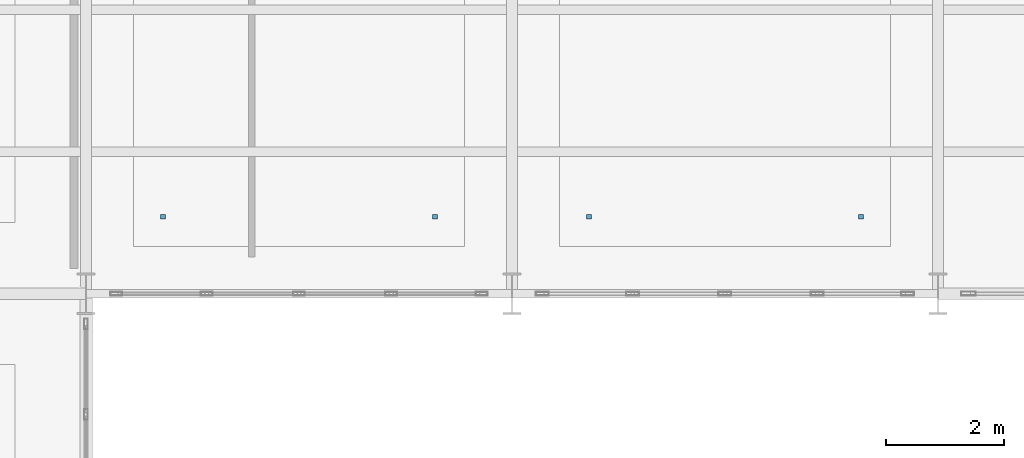
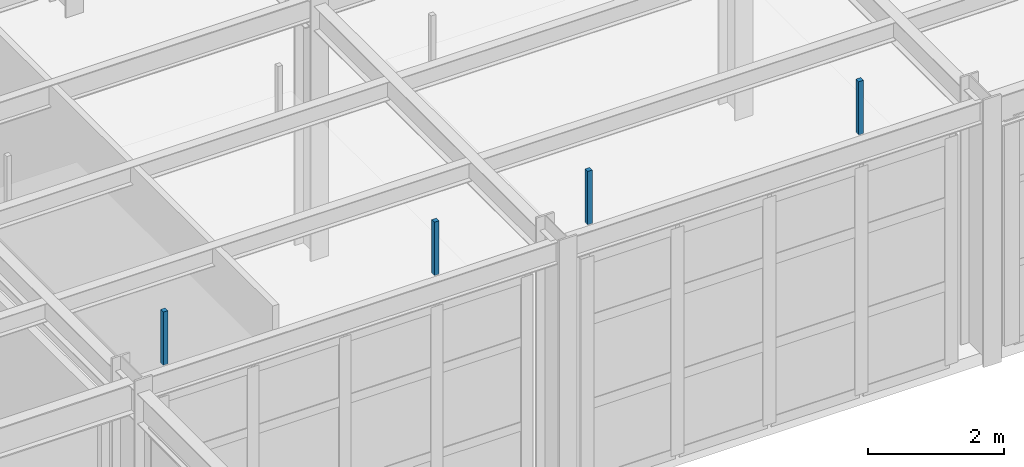
# One storey, part 102 of 121: 4 discrete accessories.
"""IFC4 building model written with IfcOpenShell, lengths in metres."""

from ifc_helpers import new_model, si_unit, direction, frame, origin, origin_2d, place, context, subcontext, project, spatial, rectangle, extrude, material, type_object, element, save


model = new_model("IFC4")

# Units and contexts
model_context = context("Model", 3, precision=1e-05, world=origin(), true_north=direction((0.0, 1.0)))
body_context = subcontext(model_context, "Body", "Model", "MODEL_VIEW")
ifc_project = project(units=[si_unit("LENGTHUNIT", "METRE"), si_unit("AREAUNIT", "SQUARE_METRE"), si_unit("VOLUMEUNIT", "CUBIC_METRE"), si_unit("PLANEANGLEUNIT", "RADIAN"), si_unit("MASSUNIT", "GRAM", prefix="KILO")], contexts=[model_context])

# Site, building, storey
site_placement = place(None, origin())
site = spatial("IfcSite", under=ifc_project, at=site_placement, CompositionType="ELEMENT")
building_placement = place(site_placement, origin())
building = spatial("IfcBuilding", under=site, at=building_placement, Name="Solvadek Multi-Sports Hall", CompositionType="ELEMENT")
storey_placement = place(building_placement, frame((0.0, 0.0, 4.800048828125)))
storey = spatial("IfcBuildingStorey", under=building, at=storey_placement, Name="L01", CompositionType="ELEMENT", Elevation=4.800048828125)

# Discrete accessories
ifc_material = material(Name="Steel E250 (250 MPa)", Category="steel")
discrete_accessory_type = type_object("IfcDiscreteAccessoryType", Name="ENV-BRK-CLEAT", PredefinedType="BRACKET", material=ifc_material)
for number, where, z_axis, x_axis, name in (
    (1, (22.89990234375, 50.5, 3.614990234375), (0.0, 0.0, 1.0), (1.0, 0.0, 0.0), "L01 Ceiling Suspension Hanger #4.1"),
    (2, (27.5, 50.5, 3.614990234375), (0.0, 0.0, 1.0), (1.0, 0.0, 0.0), "L01 Ceiling Suspension Hanger #4.2"),
    (3, (30.10009765625, 50.5, 3.614990234375), (0.0, 0.0, 1.0), (1.0, 0.0, 0.0), "L01 Ceiling Suspension Hanger #5.1"),
    (4, (34.699951171875, 50.5, 3.614990234375), (0.0, 0.0, 1.0), (1.0, 0.0, 0.0), "L01 Ceiling Suspension Hanger #5.2"),
):
    element("IfcDiscreteAccessory", number, at=place(storey_placement, frame(where, z_axis=z_axis, x_axis=x_axis)), inside=storey, type_object=discrete_accessory_type, Name=name, PredefinedType="BRACKET", context=body_context, shape_type="SweptSolid", body=[
        extrude(rectangle(XDim=0.080078125, YDim=0.080078125, at=origin_2d()), origin(), (0.0, 0.0, 1.0), 0.955078125),
    ])

save(model, "model.ifc")
